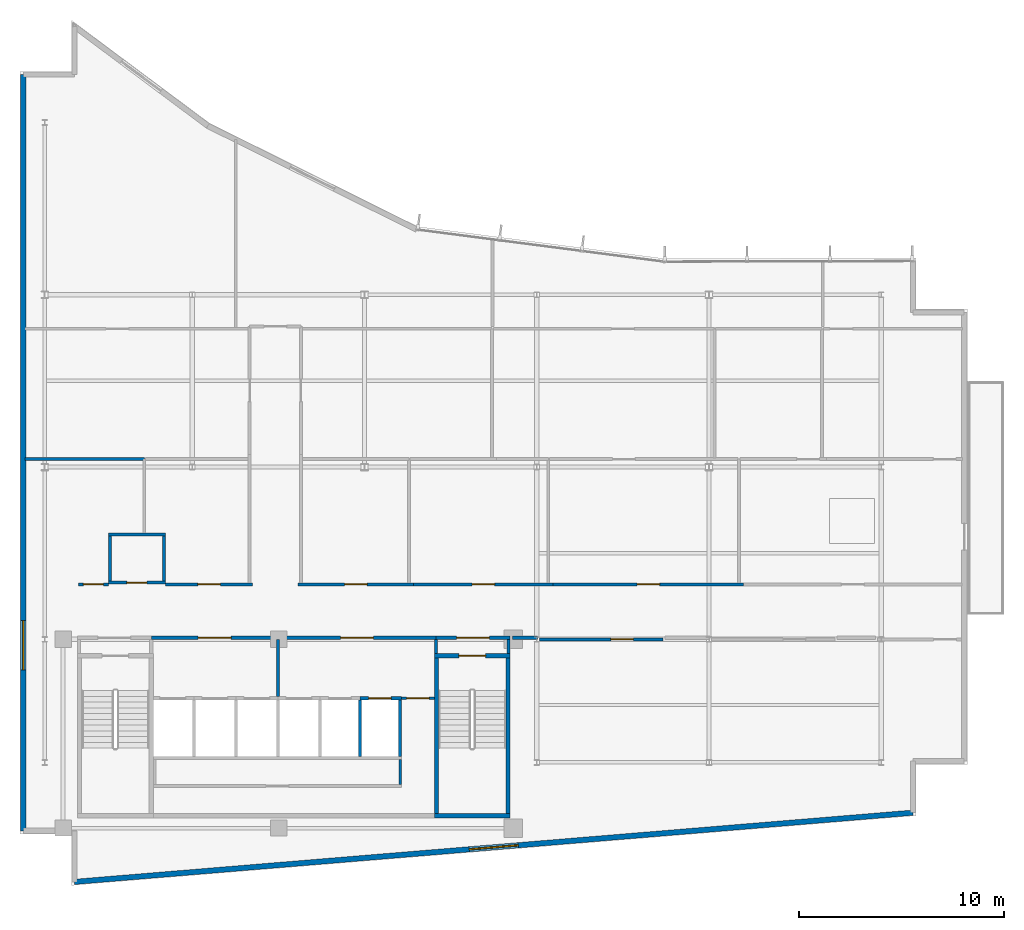
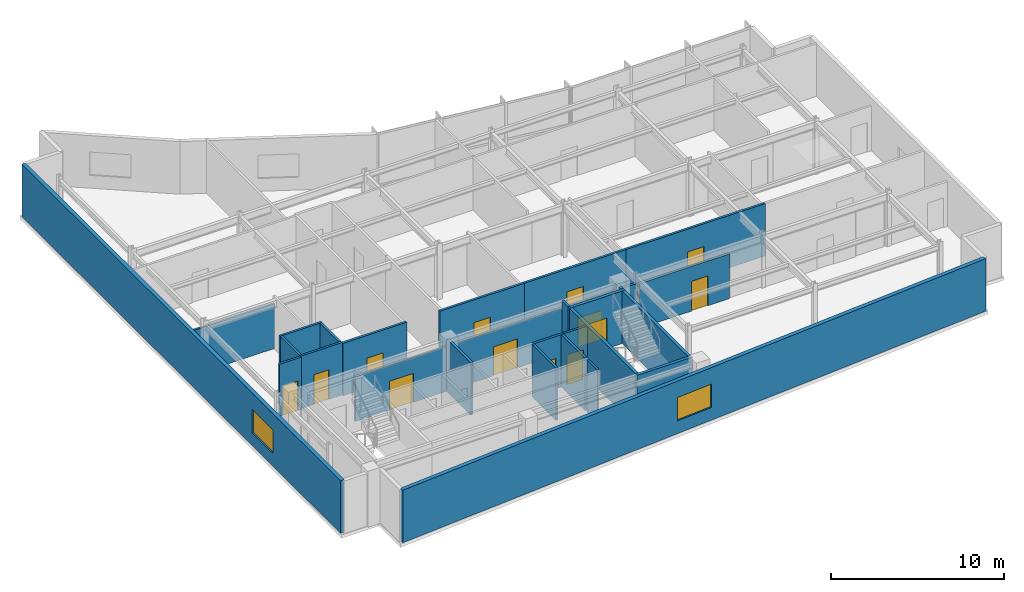
# One storey, part 10 of 15: 29 walls, 13 doors, 2 windows, 15 openings.
"""IFC4 building model written with IfcOpenShell, lengths in metres."""

from ifc_helpers import new_model, si_unit, direction, frame, frame_2d, origin, place, context, subcontext, project, spatial, rectangle, extrude, material, layer, layer_set, type_object, element, fill, save


model = new_model("IFC4")

# Units and contexts
model_context = context("Model", 3, precision=1e-05, world=origin(), true_north=direction((0.0, 1.0)))
body_context = subcontext(model_context, "Body", "Model", "MODEL_VIEW")
ifc_project = project(units=[si_unit("LENGTHUNIT", "METRE"), si_unit("AREAUNIT", "SQUARE_METRE"), si_unit("VOLUMEUNIT", "CUBIC_METRE"), si_unit("PLANEANGLEUNIT", "RADIAN"), si_unit("MASSUNIT", "GRAM", prefix="KILO")], contexts=[model_context])

# Site, building, storey
site_placement = place(None, origin())
site = spatial("IfcSite", under=ifc_project, at=site_placement, CompositionType="ELEMENT")
building_placement = place(site_placement, origin())
building = spatial("IfcBuilding", under=site, at=building_placement, Name="Varnakote Quay Hospital", CompositionType="ELEMENT")
storey_placement = place(building_placement, frame((0.0, 0.0, 248.64990234375)))
storey = spatial("IfcBuildingStorey", under=building, at=storey_placement, Name="L61", CompositionType="ELEMENT", Elevation=248.64990234375)

# Wall, opening, door
ifc_material_1 = material(Name="Fire-rated acoustic gypsum stud wall", Category="gypsum")
ifc_layer_1 = layer(ifc_material_1, 0.159912109375)
ifc_layer_set_1 = layer_set([ifc_layer_1], Name="Fire-rated acoustic gypsum stud wall")
wall_type_1 = type_object("IfcWallType", Name="WL-COMP-160", PredefinedType="PARTITIONING", material=ifc_layer_set_1)
wall_1_placement = place(storey_placement, frame((6.39990234375, 12.080078125, 0.0), z_axis=(0.0, 0.0, 1.0), x_axis=(1.0, 0.0, 0.0)))
wall_1 = element("IfcWall", 1, at=wall_1_placement, inside=storey, type_object=wall_type_1, Name="L61 Firefighting Lift Lobby Compartment Wall", PredefinedType="PARTITIONING", context=body_context, shape_type="SweptSolid", body=[
    extrude(rectangle(XDim=6.18017578125, YDim=0.159912109375, at=frame_2d((3.090087890625, 0.0))), origin(), (0.0, 0.0, 1.0), 3.156982421875),
])
opening_1_placement = place(wall_1_placement, frame((2.2900390625, 0.0, 0.0)))
opening_1 = element("IfcOpeningElement", 2, at=opening_1_placement, cuts=wall_1, Name="Opening D-FFL-L61", PredefinedType="OPENING", context=body_context, shape_type="SweptSolid", body=[
    extrude(rectangle(XDim=1.60009765625, YDim=2.050048828125, at=frame_2d((0.800048828125, 1.02490234375))), frame((0.0, 0.08984375, 0.0), z_axis=(0.0, -1.0, 0.0), x_axis=(1.0, 0.0, 0.0)), (0.0, 0.0, 1.0), 0.179931640625),
])
ifc_material_2 = material(Name="Fire-rated double smoke lobby door")
door_type_1 = type_object("IfcDoorType", Name="DR-LOBBY-FD60S-1600x2150", OperationType="NOTDEFINED", PredefinedType="DOOR", material=ifc_material_2)
door_1_placement = place(opening_1_placement, origin())
door_1 = element("IfcDoor", 3, at=door_1_placement, inside=storey, type_object=door_type_1, Name="L61 Firefighting Smoke Vestibule Door", OperationType="DOUBLE_DOOR_SINGLE_SWING", OverallHeight=2.050048828125, OverallWidth=1.60009765625, PredefinedType="DOOR", context=body_context, shape_type="SweptSolid", body=[
    extrude(rectangle(XDim=1.60009765625, YDim=2.050048828125, at=frame_2d((0.800048828125, 1.02490234375))), frame((0.0, 0.02490234375, 0.0), z_axis=(0.0, -1.0, 0.0), x_axis=(1.0, 0.0, 0.0)), (0.0, 0.0, 1.0), 0.050048828125),
])
fill(opening_1, door_1)

# Wall
wall_2_placement = place(storey_placement, frame((12.580078125, 9.2099609375, 0.0), z_axis=(0.0, 0.0, 1.0), x_axis=(0.0, 1.0, 0.0)))
element("IfcWall", 4, at=wall_2_placement, inside=storey, type_object=wall_type_1, Name="L61 Firefighting to Service Lobby Wall", PredefinedType="PARTITIONING", context=body_context, shape_type="SweptSolid", body=[
    extrude(rectangle(XDim=2.7900390625, YDim=0.159912109375, at=frame_2d((1.39501953125, 0.0))), origin(), (0.0, 0.0, 1.0), 3.710205078125),
])

# Wall, opening, door
wall_3_placement = place(storey_placement, frame((12.580078125, 12.080078125, 0.0), z_axis=(0.0, 0.0, 1.0), x_axis=(1.0, 0.0, 0.0)))
wall_3 = element("IfcWall", 5, at=wall_3_placement, inside=storey, type_object=wall_type_1, Name="L61 Clinical Bed Lift Lobby Wall", PredefinedType="PARTITIONING", context=body_context, shape_type="SweptSolid", body=[
    extrude(rectangle(XDim=7.699951171875, YDim=0.159912109375, at=frame_2d((3.85009765625, 0.0))), origin(), (0.0, 0.0, 1.0), 3.156982421875),
])
opening_2_placement = place(wall_3_placement, frame((3.050048828125, 0.0, 0.0)))
opening_2 = element("IfcOpeningElement", 6, at=opening_2_placement, cuts=wall_3, Name="Opening D-SVL-L61", PredefinedType="OPENING", context=body_context, shape_type="SweptSolid", body=[
    extrude(rectangle(XDim=1.60009765625, YDim=2.050048828125, at=frame_2d((0.800048828125, 1.02490234375))), frame((0.0, 0.08984375, 0.0), z_axis=(0.0, -1.0, 0.0), x_axis=(1.0, 0.0, 0.0)), (0.0, 0.0, 1.0), 0.179931640625),
])
door_2_placement = place(opening_2_placement, origin())
door_2 = element("IfcDoor", 7, at=door_2_placement, inside=storey, type_object=door_type_1, Name="L61 Clinical Core Smoke Vestibule Door", OperationType="DOUBLE_DOOR_SINGLE_SWING", OverallHeight=2.050048828125, OverallWidth=1.60009765625, PredefinedType="DOOR", context=body_context, shape_type="SweptSolid", body=[
    extrude(rectangle(XDim=1.60009765625, YDim=2.050048828125, at=frame_2d((0.800048828125, 1.02490234375))), frame((0.0, 0.02490234375, 0.0), z_axis=(0.0, -1.0, 0.0), x_axis=(1.0, 0.0, 0.0)), (0.0, 0.0, 1.0), 0.050048828125),
])
fill(opening_2, door_2)

# Wall
wall_4_placement = place(storey_placement, frame((20.280029296875, 11.300048828125, 0.0), z_axis=(0.0, 0.0, 1.0), x_axis=(0.0, 1.0, 0.0)))
element("IfcWall", 8, at=wall_4_placement, inside=storey, type_object=wall_type_1, Name="L61 East Stair Vestibule Divider Wall", PredefinedType="PARTITIONING", context=body_context, shape_type="SweptSolid", body=[
    extrude(rectangle(XDim=0.699951171875, YDim=0.159912109375, at=frame_2d((0.35009765625, 0.0))), origin(), (0.0, 0.0, 1.0), 3.710205078125),
])

# Wall, opening, door
wall_5_placement = place(storey_placement, frame((20.280029296875, 12.080078125, 0.0), z_axis=(0.0, 0.0, 1.0), x_axis=(1.0, 0.0, 0.0)))
wall_5 = element("IfcWall", 9, at=wall_5_placement, inside=storey, type_object=wall_type_1, Name="L61 East Stair Vestibule Smoke Wall", PredefinedType="PARTITIONING", context=body_context, shape_type="SweptSolid", body=[
    extrude(rectangle(XDim=3.619873046875, YDim=0.159912109375, at=frame_2d((1.81005859375, 0.0))), origin(), (0.0, 0.0, 1.0), 3.156982421875),
])
opening_3_placement = place(wall_5_placement, frame((1.010009765625, 0.0, 0.0)))
opening_3 = element("IfcOpeningElement", 10, at=opening_3_placement, cuts=wall_5, Name="Opening D-ST2L-L61", PredefinedType="OPENING", context=body_context, shape_type="SweptSolid", body=[
    extrude(rectangle(XDim=1.60009765625, YDim=2.050048828125, at=frame_2d((0.800048828125, 1.02490234375))), frame((0.0, 0.08984375, 0.0), z_axis=(0.0, -1.0, 0.0), x_axis=(1.0, 0.0, 0.0)), (0.0, 0.0, 1.0), 0.179931640625),
])
door_3_placement = place(opening_3_placement, origin())
door_3 = element("IfcDoor", 11, at=door_3_placement, inside=storey, type_object=door_type_1, Name="L61 East Stair Vestibule Smoke Door", OperationType="DOUBLE_DOOR_SINGLE_SWING", OverallHeight=2.050048828125, OverallWidth=1.60009765625, PredefinedType="DOOR", context=body_context, shape_type="SweptSolid", body=[
    extrude(rectangle(XDim=1.60009765625, YDim=2.050048828125, at=frame_2d((0.800048828125, 1.02490234375))), frame((0.0, 0.02490234375, 0.0), z_axis=(0.0, -1.0, 0.0), x_axis=(1.0, 0.0, 0.0)), (0.0, 0.0, 1.0), 0.050048828125),
])
fill(opening_3, door_3)

# Walls
wall_6_placement = place(storey_placement, frame((23.820068359375, 11.300048828125, 0.0), z_axis=(0.0, 0.0, 1.0), x_axis=(0.0, 1.0, 0.0)))
element("IfcWall", 12, at=wall_6_placement, inside=storey, type_object=wall_type_1, Name="L61 East Stair Vestibule East Wall", PredefinedType="PARTITIONING", context=body_context, shape_type="SweptSolid", body=[
    extrude(rectangle(XDim=0.699951171875, YDim=0.159912109375, at=frame_2d((0.35009765625, 0.0))), origin(), (0.0, 0.0, 1.0), 3.710205078125),
])
wall_7_placement = place(storey_placement, frame((24.02001953125, 12.080078125, 0.0), z_axis=(0.0, 0.0, 1.0), x_axis=(1.0, 0.0, 0.0)))
element("IfcWall", 13, at=wall_7_placement, inside=storey, type_object=wall_type_1, Name="L61 Corridor South Gap Wall", PredefinedType="PARTITIONING", context=body_context, shape_type="SweptSolid", body=[
    extrude(rectangle(XDim=1.2177734375, YDim=0.159912109375, at=frame_2d((0.60888671875, 0.0))), origin(), (0.0, 0.0, 1.0), 3.156982421875),
])

# Wall, opening, window
ifc_material_3 = material(Name="Precast concrete N50 (f'c 50 MPa)", Category="concrete")
ifc_layer_2 = layer(ifc_material_3, 0.260009765625)
ifc_layer_set_2 = layer_set([ifc_layer_2], Name="Precast concrete N50 (f'c 50 MPa)")
wall_type_2 = type_object("IfcWallType", Name="WL-EXT-BRICK-260", PredefinedType="STANDARD", material=ifc_layer_set_2)
wall_8_placement = place(storey_placement, frame((2.659912109375, 0.173583984375, 0.0), z_axis=(0.0, 0.0, 1.0), x_axis=(0.996611813627, 0.082248969229, 0.0)))
wall_8 = element("IfcWall", 14, at=wall_8_placement, inside=storey, type_object=wall_type_2, Name="L61 Brick-Faced Precast Exterior Wall", PredefinedType="STANDARD", context=body_context, shape_type="SweptSolid", body=[
    extrude(rectangle(XDim=41.01904296875, YDim=0.260009765625, at=frame_2d((20.509521484375, 0.0))), origin(), (0.0, 0.0, 1.0), 3.710205078125),
])
opening_4_placement = place(wall_8_placement, frame((19.3095703125, 0.0, 0.89990234375)))
opening_4 = element("IfcOpeningElement", 15, at=opening_4_placement, cuts=wall_8, Name="Opening WN-0246", PredefinedType="OPENING", context=body_context, shape_type="SweptSolid", body=[
    extrude(rectangle(XDim=2.39990234375, YDim=1.64990234375, at=frame_2d((1.199951171875, 0.824951171875))), frame((0.0, 0.139892578125, 0.0), z_axis=(0.0, -1.0, 0.0), x_axis=(1.0, 0.0, 0.0)), (0.0, 0.0, 1.0), 0.280029296875),
])
ifc_material_4 = material(Name="Double-glazed low-E solar glass", Category="glass")
window_type = type_object("IfcWindowType", Name="WIN-CLIN-2400x1650", PartitioningType="SINGLE_PANEL", PredefinedType="WINDOW", material=ifc_material_4)
window_1_placement = place(opening_4_placement, origin())
window_1 = element("IfcWindow", 16, at=window_1_placement, inside=storey, type_object=window_type, Name="L61 Solar-Control Clinical Window", OverallHeight=1.64990234375, OverallWidth=2.39990234375, PartitioningType="SINGLE_PANEL", PredefinedType="WINDOW", context=body_context, shape_type="SweptSolid", body=[
    extrude(rectangle(XDim=2.39990234375, YDim=1.64990234375, at=frame_2d((1.199951171875, 0.824951171875))), frame((0.0, 0.030029296875, 0.0), z_axis=(0.0, -1.0, 0.0), x_axis=(1.0, 0.0, 0.0)), (0.0, 0.0, 1.0), 0.06005859375),
])
fill(opening_4, window_1)

wall_9_placement = place(storey_placement, frame((0.159912109375, 39.5400390625, 0.0), z_axis=(0.0, 0.0, 1.0), x_axis=(0.0, -1.0, 0.0)))
wall_9 = element("IfcWall", 17, at=wall_9_placement, inside=storey, type_object=wall_type_2, Name="L61 Brick-Faced Precast Exterior Wall", PredefinedType="STANDARD", context=body_context, shape_type="SweptSolid", body=[
    extrude(rectangle(XDim=36.880126953125, YDim=0.260009765625, at=frame_2d((18.43994140625, 0.0))), origin(), (0.0, 0.0, 1.0), 3.710205078125),
])
opening_5_placement = place(wall_9_placement, frame((26.625, 0.0, 0.89990234375)))
opening_5 = element("IfcOpeningElement", 18, at=opening_5_placement, cuts=wall_9, Name="Opening WN-0249", PredefinedType="OPENING", context=body_context, shape_type="SweptSolid", body=[
    extrude(rectangle(XDim=2.39990234375, YDim=1.64990234375, at=frame_2d((1.199951171875, 0.824951171875))), frame((0.0, 0.139892578125, 0.0), z_axis=(0.0, -1.0, 0.0), x_axis=(1.0, 0.0, 0.0)), (0.0, 0.0, 1.0), 0.280029296875),
])
window_2_placement = place(opening_5_placement, origin())
window_2 = element("IfcWindow", 19, at=window_2_placement, inside=storey, type_object=window_type, Name="L61 Solar-Control Clinical Window", OverallHeight=1.64990234375, OverallWidth=2.39990234375, PartitioningType="SINGLE_PANEL", PredefinedType="WINDOW", context=body_context, shape_type="SweptSolid", body=[
    extrude(rectangle(XDim=2.39990234375, YDim=1.64990234375, at=frame_2d((1.199951171875, 0.824951171875))), frame((0.0, 0.030029296875, 0.0), z_axis=(0.0, -1.0, 0.0), x_axis=(1.0, 0.0, 0.0)), (0.0, 0.0, 1.0), 0.06005859375),
])
fill(opening_5, window_2)

# Walls
ifc_material_5 = material(Name="Concrete N50 (f'c 50 MPa)", Category="concrete")
ifc_layer_3 = layer(ifc_material_5, 0.14990234375)
ifc_layer_set_3 = layer_set([ifc_layer_3], Name="Concrete N50 (f'c 50 MPa)")
wall_type_3 = type_object("IfcWallType", Name="WL-SHAFT-N50-150", PredefinedType="SHEAR", material=ifc_layer_set_3)
wall_10_placement = place(storey_placement, frame((16.574951171875, 6.300048828125, 0.0), z_axis=(0.0, 0.0, 1.0), x_axis=(0.0, 1.0, 0.0)))
element("IfcWall", 20, at=wall_10_placement, inside=storey, type_object=wall_type_3, Name="L61 LF-PH1 Hoistway Divider Wall", PredefinedType="SHEAR", context=body_context, shape_type="SweptSolid", body=[
    extrude(rectangle(XDim=2.75, YDim=0.14990234375, at=frame_2d((1.375, 0.0))), origin(), (0.0, 0.0, 1.0), 3.710205078125),
])
ifc_material_6 = material(Name="Concrete N50 (f'c 50 MPa)", Category="concrete")
ifc_layer_4 = layer(ifc_material_6, 0.159912109375)
ifc_layer_set_4 = layer_set([ifc_layer_4], Name="Concrete N50 (f'c 50 MPa)")
wall_type_4 = type_object("IfcWallType", Name="WL-SHAFT-N50-160", PredefinedType="SHEAR", material=ifc_layer_set_4)
wall_11_placement = place(storey_placement, frame((18.530029296875, 6.300048828125, 0.0), z_axis=(0.0, 0.0, 1.0), x_axis=(0.0, 1.0, 0.0)))
element("IfcWall", 21, at=wall_11_placement, inside=storey, type_object=wall_type_4, Name="L61 REAR Lift Bank East Shear Wall", PredefinedType="SHEAR", context=body_context, shape_type="SweptSolid", body=[
    extrude(rectangle(XDim=2.75, YDim=0.159912109375, at=frame_2d((1.375, 0.0))), origin(), (0.0, 0.0, 1.0), 3.710205078125),
])

# Wall, opening, door
wall_12_placement = place(storey_placement, frame((16.574951171875, 9.1298828125, 0.0), z_axis=(0.0, 0.0, 1.0), x_axis=(1.0, 0.0, 0.0)))
wall_12 = element("IfcWall", 22, at=wall_12_placement, inside=storey, type_object=wall_type_4, Name="L61 LF-PH2 Hoistway Front Wall", PredefinedType="SHEAR", context=body_context, shape_type="SweptSolid", body=[
    extrude(rectangle(XDim=2.03515625, YDim=0.159912109375, at=frame_2d((1.017578125, 0.0))), origin(), (0.0, 0.0, 1.0), 3.710205078125),
])
opening_6_placement = place(wall_12_placement, frame((0.425048828125, 0.0, 0.0)))
opening_6 = element("IfcOpeningElement", 23, at=opening_6_placement, cuts=wall_12, Name="Opening LD-PH2-L61", PredefinedType="OPENING", context=body_context, shape_type="SweptSolid", body=[
    extrude(rectangle(XDim=1.10009765625, YDim=2.14990234375, at=frame_2d((0.550048828125, 1.074951171875))), frame((0.0, 0.08984375, 0.0), z_axis=(0.0, -1.0, 0.0), x_axis=(1.0, 0.0, 0.0)), (0.0, 0.0, 1.0), 0.179931640625),
])
ifc_material_7 = material(Name="Brushed bronze lift landing sliding door")
door_type_2 = type_object("IfcDoorType", Name="DR-LIFT-LD-1100x2150", OperationType="NOTDEFINED", PredefinedType="DOOR", material=ifc_material_7)
door_4_placement = place(opening_6_placement, origin())
door_4 = element("IfcDoor", 24, at=door_4_placement, inside=storey, type_object=door_type_2, Name="L61 LF-PH2 Lift Landing Sliding Door", OperationType="SLIDING_TO_LEFT", OverallHeight=2.14990234375, OverallWidth=1.10009765625, PredefinedType="DOOR", context=body_context, shape_type="SweptSolid", body=[
    extrude(rectangle(XDim=1.10009765625, YDim=2.14990234375, at=frame_2d((0.550048828125, 1.074951171875))), frame((0.0, 0.02490234375, 0.0), z_axis=(0.0, -1.0, 0.0), x_axis=(1.0, 0.0, 0.0)), (0.0, 0.0, 1.0), 0.050048828125),
])
fill(opening_6, door_4)

# Walls
ifc_material_8 = material(Name="Concrete N50 (f'c 50 MPa)", Category="concrete")
ifc_layer_5 = layer(ifc_material_8, 0.199951171875)
ifc_layer_set_5 = layer_set([ifc_layer_5], Name="Concrete N50 (f'c 50 MPa)")
wall_type_5 = type_object("IfcWallType", Name="WL-SHAFT-N50-200", PredefinedType="SHEAR", material=ifc_layer_set_5)
wall_13_placement = place(storey_placement, frame((20.199951171875, 3.39990234375, 0.0), z_axis=(0.0, 0.0, 1.0), x_axis=(1.0, 0.0, 0.0)))
element("IfcWall", 25, at=wall_13_placement, inside=storey, type_object=wall_type_5, Name="L61 Stair ST2 South Shaft Wall", PredefinedType="SHEAR", context=body_context, shape_type="SweptSolid", body=[
    extrude(rectangle(XDim=3.699951171875, YDim=0.199951171875, at=frame_2d((1.85009765625, 0.0))), origin(), (0.0, 0.0, 1.0), 3.710205078125),
])
for number, where, z_axis, x_axis, name in (
    (26, (20.300048828125, 3.5, 0.0), (0.0, 0.0, 1.0), (0.0, 1.0, 0.0), "L61 Stair ST2 West Shaft Wall"),
    (27, (23.800048828125, 3.5, 0.0), (0.0, 0.0, 1.0), (0.0, 1.0, 0.0), "L61 Stair ST2 East Shaft Wall"),
):
    element("IfcWall", number, at=place(storey_placement, frame(where, z_axis=z_axis, x_axis=x_axis)), inside=storey, type_object=wall_type_5, Name=name, PredefinedType="SHEAR", context=body_context, shape_type="SweptSolid", body=[
        extrude(rectangle(XDim=7.60009765625, YDim=0.199951171875, at=frame_2d((3.800048828125, 0.0))), origin(), (0.0, 0.0, 1.0), 3.710205078125),
    ])

# Wall, opening, door
wall_14_placement = place(storey_placement, frame((20.199951171875, 11.199951171875, 0.0), z_axis=(0.0, 0.0, 1.0), x_axis=(1.0, 0.0, 0.0)))
wall_14 = element("IfcWall", 28, at=wall_14_placement, inside=storey, type_object=wall_type_5, Name="L61 Stair ST2 Exit Wall", PredefinedType="SHEAR", context=body_context, shape_type="SweptSolid", body=[
    extrude(rectangle(XDim=3.699951171875, YDim=0.199951171875, at=frame_2d((1.85009765625, 0.0))), origin(), (0.0, 0.0, 1.0), 3.710205078125),
])
opening_7_placement = place(wall_14_placement, frame((1.199951171875, 0.0, 0.0)))
opening_7 = element("IfcOpeningElement", 29, at=opening_7_placement, cuts=wall_14, Name="Opening D-ST2-L61", PredefinedType="OPENING", context=body_context, shape_type="SweptSolid", body=[
    extrude(rectangle(XDim=1.300048828125, YDim=2.14990234375, at=frame_2d((0.64990234375, 1.074951171875))), frame((0.0, 0.10986328125, 0.0), z_axis=(0.0, -1.0, 0.0), x_axis=(1.0, 0.0, 0.0)), (0.0, 0.0, 1.0), 0.219970703125),
])
ifc_material_9 = material(Name="Fire-rated ceramic-glazed timber exit door", Category="wood")
door_type_3 = type_object("IfcDoorType", Name="DR-STAIR-FD60S-1300x2150", OperationType="NOTDEFINED", PredefinedType="DOOR", material=ifc_material_9)
door_5_placement = place(opening_7_placement, origin())
door_5 = element("IfcDoor", 30, at=door_5_placement, inside=storey, type_object=door_type_3, Name="L61 Stair ST2 Fire Exit Door", OperationType="SINGLE_SWING_LEFT", OverallHeight=2.14990234375, OverallWidth=1.300048828125, PredefinedType="DOOR", context=body_context, shape_type="SweptSolid", body=[
    extrude(rectangle(XDim=1.300048828125, YDim=2.14990234375, at=frame_2d((0.64990234375, 1.074951171875))), frame((0.0, 0.02490234375, 0.0), z_axis=(0.0, -1.0, 0.0), x_axis=(1.0, 0.0, 0.0)), (0.0, 0.0, 1.0), 0.050048828125),
])
fill(opening_7, door_5)

# Walls
ifc_material_10 = material(Name="Smoke-proof clinical partition", Category="gypsum")
ifc_layer_6 = layer(ifc_material_10, 0.1201171875)
ifc_layer_set_6 = layer_set([ifc_layer_6], Name="Smoke-proof clinical partition")
wall_type_6 = type_object("IfcWallType", Name="WL-SMOKE-120", PredefinedType="PARTITIONING", material=ifc_layer_set_6)
wall_15_placement = place(storey_placement, frame((18.5400390625, 4.919921875, 0.0), z_axis=(0.0, 0.0, 1.0), x_axis=(0.0, 1.0, 0.0)))
element("IfcWall", 31, at=wall_15_placement, inside=storey, type_object=wall_type_6, Name="L61 Core Service Strip East Wall", PredefinedType="PARTITIONING", context=body_context, shape_type="SweptSolid", body=[
    extrude(rectangle(XDim=1.219970703125, YDim=0.1201171875, at=frame_2d((0.60986328125, 0.0))), origin(), (0.0, 0.0, 1.0), 3.710205078125),
])
ifc_material_11 = material(Name="Smoke-proof clinical partition", Category="gypsum")
ifc_layer_7 = layer(ifc_material_11, 0.135009765625)
ifc_layer_set_7 = layer_set([ifc_layer_7], Name="Smoke-proof clinical partition")
wall_type_7 = type_object("IfcWallType", Name="WL-SMOKE-135", PredefinedType="PARTITIONING", material=ifc_layer_set_7)
wall_16_placement = place(storey_placement, frame((6.06005859375, 20.7900390625, 0.0), z_axis=(0.0, 0.0, 1.0), x_axis=(-1.0, 0.0, 0.0)))
element("IfcWall", 32, at=wall_16_placement, inside=storey, type_object=wall_type_7, Name="L61 Clinical Interior Partition", PredefinedType="PARTITIONING", context=body_context, shape_type="SweptSolid", body=[
    extrude(rectangle(XDim=5.820068359375, YDim=0.135009765625, at=frame_2d((2.91015625, 0.0))), origin(), (0.0, 0.0, 1.0), 3.156982421875),
])

# Wall, opening, door
ifc_material_12 = material(Name="Fire-rated clinical gypsum partition", Category="gypsum")
ifc_layer_8 = layer(ifc_material_12, 0.139892578125)
ifc_layer_set_8 = layer_set([ifc_layer_8], Name="Fire-rated clinical gypsum partition")
wall_type_8 = type_object("IfcWallType", Name="WL-WARD-140", PredefinedType="PARTITIONING", material=ifc_layer_set_8)
wall_17_placement = place(storey_placement, frame((18.610107421875, 9.1298828125, 0.0), z_axis=(0.0, 0.0, 1.0), x_axis=(1.0, 0.0, 0.0)))
wall_17 = element("IfcWall", 33, at=wall_17_placement, inside=storey, type_object=wall_type_8, Name="L61 Core Service Corridor North Door Wall", PredefinedType="PARTITIONING", context=body_context, shape_type="SweptSolid", body=[
    extrude(rectangle(XDim=1.58984375, YDim=0.139892578125, at=frame_2d((0.794921875, 0.0))), origin(), (0.0, 0.0, 1.0), 3.710205078125),
])
opening_8_placement = place(wall_17_placement, frame((0.239990234375, 0.0, 0.0)))
opening_8 = element("IfcOpeningElement", 34, at=opening_8_placement, cuts=wall_17, Name="Opening D-CSRV-L61", PredefinedType="OPENING", context=body_context, shape_type="SweptSolid", body=[
    extrude(rectangle(XDim=1.10009765625, YDim=2.10009765625, at=frame_2d((0.550048828125, 1.050048828125))), frame((0.0, 0.079833984375, 0.0), z_axis=(0.0, -1.0, 0.0), x_axis=(1.0, 0.0, 0.0)), (0.0, 0.0, 1.0), 0.159912109375),
])
ifc_material_13 = material(Name="Acoustic timber clinical consult door", Category="wood")
door_type_4 = type_object("IfcDoorType", Name="DR-CLIN-FD30S-1100x2100", OperationType="NOTDEFINED", PredefinedType="DOOR", material=ifc_material_13)
door_6_placement = place(opening_8_placement, origin())
door_6 = element("IfcDoor", 35, at=door_6_placement, inside=storey, type_object=door_type_4, Name="L61 Core Service Corridor Door", OperationType="SINGLE_SWING_LEFT", OverallHeight=2.10009765625, OverallWidth=1.10009765625, PredefinedType="DOOR", context=body_context, shape_type="SweptSolid", body=[
    extrude(rectangle(XDim=1.10009765625, YDim=2.10009765625, at=frame_2d((0.550048828125, 1.050048828125))), frame((0.0, 0.02490234375, 0.0), z_axis=(0.0, -1.0, 0.0), x_axis=(1.0, 0.0, 0.0)), (0.0, 0.0, 1.0), 0.050048828125),
])
fill(opening_8, door_6)

wall_18_placement = place(storey_placement, frame((4.31005859375, 14.77001953125, 0.0), z_axis=(0.0, 0.0, 1.0), x_axis=(1.0, 0.0, 0.0)))
wall_18 = element("IfcWall", 36, at=wall_18_placement, inside=storey, type_object=wall_type_8, Name="L61 Floor Unisex Accessible WC S Wall", PredefinedType="PARTITIONING", context=body_context, shape_type="SweptSolid", body=[
    extrude(rectangle(XDim=2.780029296875, YDim=0.139892578125, at=frame_2d((1.39013671875, 0.0))), origin(), (0.0, 0.0, 1.0), 3.710205078125),
])
opening_9_placement = place(wall_18_placement, frame((0.89990234375, 0.0, 0.0)))
opening_9 = element("IfcOpeningElement", 37, at=opening_9_placement, cuts=wall_18, Name="Opening D-L61-EW01", PredefinedType="OPENING", context=body_context, shape_type="SweptSolid", body=[
    extrude(rectangle(XDim=0.97998046875, YDim=2.10009765625, at=frame_2d((0.489990234375, 1.050048828125))), frame((0.0, 0.079833984375, 0.0), z_axis=(0.0, -1.0, 0.0), x_axis=(1.0, 0.0, 0.0)), (0.0, 0.0, 1.0), 0.159912109375),
])
ifc_material_14 = material(Name="Accessible sanitary compartment door")
door_type_5 = type_object("IfcDoorType", Name="DR-WC-980x2100", OperationType="NOTDEFINED", PredefinedType="DOOR", material=ifc_material_14)
door_7_placement = place(opening_9_placement, origin())
door_7 = element("IfcDoor", 38, at=door_7_placement, inside=storey, type_object=door_type_5, Name="L61 Floor Unisex Accessible WC Door", OperationType="SINGLE_SWING_RIGHT", OverallHeight=2.10009765625, OverallWidth=0.97998046875, PredefinedType="DOOR", context=body_context, shape_type="SweptSolid", body=[
    extrude(rectangle(XDim=0.97998046875, YDim=2.10009765625, at=frame_2d((0.489990234375, 1.050048828125))), frame((0.0, 0.02490234375, 0.0), z_axis=(0.0, -1.0, 0.0), x_axis=(1.0, 0.0, 0.0)), (0.0, 0.0, 1.0), 0.050048828125),
])
fill(opening_9, door_7)

# Walls
wall_19_placement = place(storey_placement, frame((4.31005859375, 17.110107421875, 0.0), z_axis=(0.0, 0.0, 1.0), x_axis=(1.0, 0.0, 0.0)))
element("IfcWall", 39, at=wall_19_placement, inside=storey, type_object=wall_type_8, Name="L61 Floor Unisex Accessible WC N Wall", PredefinedType="PARTITIONING", context=body_context, shape_type="SweptSolid", body=[
    extrude(rectangle(XDim=2.780029296875, YDim=0.139892578125, at=frame_2d((1.39013671875, 0.0))), origin(), (0.0, 0.0, 1.0), 3.710205078125),
])
for number, where, z_axis, x_axis, name in (
    (40, (4.3798828125, 14.840087890625, 0.0), (0.0, 0.0, 1.0), (0.0, 1.0, 0.0), "L61 Floor Unisex Accessible WC W Wall"),
    (41, (7.02001953125, 14.840087890625, 0.0), (0.0, 0.0, 1.0), (0.0, 1.0, 0.0), "L61 Floor Unisex Accessible WC E Wall"),
):
    element("IfcWall", number, at=place(storey_placement, frame(where, z_axis=z_axis, x_axis=x_axis)), inside=storey, type_object=wall_type_8, Name=name, PredefinedType="PARTITIONING", context=body_context, shape_type="SweptSolid", body=[
        extrude(rectangle(XDim=2.199951171875, YDim=0.139892578125, at=frame_2d((1.10009765625, 0.0))), origin(), (0.0, 0.0, 1.0), 3.710205078125),
    ])

# Wall, opening, door
ifc_material_15 = material(Name="Fire-rated clinical gypsum partition", Category="gypsum")
ifc_layer_9 = layer(ifc_material_15, 0.14990234375)
ifc_layer_set_9 = layer_set([ifc_layer_9], Name="Fire-rated clinical gypsum partition")
wall_type_9 = type_object("IfcWallType", Name="WL-WARD-150", PredefinedType="PARTITIONING", material=ifc_layer_set_9)
wall_20_placement = place(storey_placement, frame((31.35009765625, 12.0, 0.0), z_axis=(0.0, 0.0, 1.0), x_axis=(-1.0, 0.0, 0.0)))
wall_20 = element("IfcWall", 42, at=wall_20_placement, inside=storey, type_object=wall_type_9, Name="L61 Clinical Interior Partition", PredefinedType="PARTITIONING", context=body_context, shape_type="SweptSolid", body=[
    extrude(rectangle(XDim=6.023193359375, YDim=0.14990234375, at=frame_2d((3.01171875, 0.0))), origin(), (0.0, 0.0, 1.0), 3.156982421875),
])
opening_10_placement = place(wall_20_placement, frame((1.44384765625, 0.0, 0.0)))
opening_10 = element("IfcOpeningElement", 43, at=opening_10_placement, cuts=wall_20, Name="Opening D-L61-RL1", PredefinedType="OPENING", context=body_context, shape_type="SweptSolid", body=[
    extrude(rectangle(XDim=1.10009765625, YDim=2.10009765625, at=frame_2d((0.550048828125, 1.050048828125))), frame((0.0, 0.0849609375, 0.0), z_axis=(0.0, -1.0, 0.0), x_axis=(1.0, 0.0, 0.0)), (0.0, 0.0, 1.0), 0.169921875),
])
door_8_placement = place(opening_10_placement, origin())
door_8 = element("IfcDoor", 44, at=door_8_placement, inside=storey, type_object=door_type_4, Name="L61 Day Infusion Treatment Suite Door", OperationType="SINGLE_SWING_LEFT", OverallHeight=2.10009765625, OverallWidth=1.10009765625, PredefinedType="DOOR", context=body_context, shape_type="SweptSolid", body=[
    extrude(rectangle(XDim=1.10009765625, YDim=2.10009765625, at=frame_2d((0.550048828125, 1.050048828125))), frame((0.0, 0.02490234375, 0.0), z_axis=(0.0, -1.0, 0.0), x_axis=(1.0, 0.0, 0.0)), (0.0, 0.0, 1.0), 0.050048828125),
])
fill(opening_10, door_8)

wall_21_placement = place(storey_placement, frame((4.30810546875, 14.679931640625, 0.0), z_axis=(0.0, 0.0, 1.0), x_axis=(-1.0, 0.0, 0.0)))
wall_21 = element("IfcWall", 45, at=wall_21_placement, inside=storey, type_object=wall_type_9, Name="L61 Clinical Interior Partition", PredefinedType="PARTITIONING", context=body_context, shape_type="SweptSolid", body=[
    extrude(rectangle(XDim=1.4580078125, YDim=0.14990234375, at=frame_2d((0.72900390625, 0.0))), origin(), (0.0, 0.0, 1.0), 3.710205078125),
])
opening_11_placement = place(wall_21_placement, frame((0.239013671875, 0.0, 0.0)))
opening_11 = element("IfcOpeningElement", 46, at=opening_11_placement, cuts=wall_21, Name="Opening D-L61-MD01", PredefinedType="OPENING", context=body_context, shape_type="SweptSolid", body=[
    extrude(rectangle(XDim=0.97998046875, YDim=2.10009765625, at=frame_2d((0.489990234375, 1.050048828125))), frame((0.0, 0.0849609375, 0.0), z_axis=(0.0, -1.0, 0.0), x_axis=(1.0, 0.0, 0.0)), (0.0, 0.0, 1.0), 0.169921875),
])
door_9_placement = place(opening_11_placement, origin())
door_9 = element("IfcDoor", 47, at=door_9_placement, inside=storey, type_object=door_type_5, Name="L61 Clinical Simulation Teaching Room Door", OperationType="SINGLE_SWING_RIGHT", OverallHeight=2.10009765625, OverallWidth=0.97998046875, PredefinedType="DOOR", context=body_context, shape_type="SweptSolid", body=[
    extrude(rectangle(XDim=0.97998046875, YDim=2.10009765625, at=frame_2d((0.489990234375, 1.050048828125))), frame((0.0, 0.02490234375, 0.0), z_axis=(0.0, -1.0, 0.0), x_axis=(1.0, 0.0, 0.0)), (0.0, 0.0, 1.0), 0.050048828125),
])
fill(opening_11, door_9)

wall_22_placement = place(storey_placement, frame((11.345947265625, 14.679931640625, 0.0), z_axis=(0.0, 0.0, 1.0), x_axis=(-1.0, 0.0, 0.0)))
wall_22 = element("IfcWall", 48, at=wall_22_placement, inside=storey, type_object=wall_type_9, Name="L61 Clinical Interior Partition", PredefinedType="PARTITIONING", context=body_context, shape_type="SweptSolid", body=[
    extrude(rectangle(XDim=4.25390625, YDim=0.14990234375, at=frame_2d((2.126953125, 0.0))), origin(), (0.0, 0.0, 1.0), 3.710205078125),
])
opening_12_placement = place(wall_22_placement, frame((1.576904296875, 0.0, 0.0)))
opening_12 = element("IfcOpeningElement", 49, at=opening_12_placement, cuts=wall_22, Name="Opening D-L61-MD02", PredefinedType="OPENING", context=body_context, shape_type="SweptSolid", body=[
    extrude(rectangle(XDim=1.10009765625, YDim=2.10009765625, at=frame_2d((0.550048828125, 1.050048828125))), frame((0.0, 0.0849609375, 0.0), z_axis=(0.0, -1.0, 0.0), x_axis=(1.0, 0.0, 0.0)), (0.0, 0.0, 1.0), 0.169921875),
])
door_10_placement = place(opening_12_placement, origin())
door_10 = element("IfcDoor", 50, at=door_10_placement, inside=storey, type_object=door_type_4, Name="L61 Rehabilitation Therapy Treatment Suite Door", OperationType="SINGLE_SWING_LEFT", OverallHeight=2.10009765625, OverallWidth=1.10009765625, PredefinedType="DOOR", context=body_context, shape_type="SweptSolid", body=[
    extrude(rectangle(XDim=1.10009765625, YDim=2.10009765625, at=frame_2d((0.550048828125, 1.050048828125))), frame((0.0, 0.02490234375, 0.0), z_axis=(0.0, -1.0, 0.0), x_axis=(1.0, 0.0, 0.0)), (0.0, 0.0, 1.0), 0.050048828125),
])
fill(opening_12, door_10)

wall_23_placement = place(storey_placement, frame((19.196044921875, 14.679931640625, 0.0), z_axis=(0.0, 0.0, 1.0), x_axis=(-1.0, 0.0, 0.0)))
wall_23 = element("IfcWall", 51, at=wall_23_placement, inside=storey, type_object=wall_type_9, Name="L61 Clinical Interior Partition", PredefinedType="PARTITIONING", context=body_context, shape_type="SweptSolid", body=[
    extrude(rectangle(XDim=5.64208984375, YDim=0.14990234375, at=frame_2d((2.821044921875, 0.0))), origin(), (0.0, 0.0, 1.0), 3.710205078125),
])
opening_13_placement = place(wall_23_placement, frame((2.27099609375, 0.0, 0.0)))
opening_13 = element("IfcOpeningElement", 52, at=opening_13_placement, cuts=wall_23, Name="Opening D-L61-MD03", PredefinedType="OPENING", context=body_context, shape_type="SweptSolid", body=[
    extrude(rectangle(XDim=1.10009765625, YDim=2.10009765625, at=frame_2d((0.550048828125, 1.050048828125))), frame((0.0, 0.0849609375, 0.0), z_axis=(0.0, -1.0, 0.0), x_axis=(1.0, 0.0, 0.0)), (0.0, 0.0, 1.0), 0.169921875),
])
door_11_placement = place(opening_13_placement, origin())
door_11 = element("IfcDoor", 53, at=door_11_placement, inside=storey, type_object=door_type_4, Name="L61 Physiotherapy Consult Office Door", OperationType="SINGLE_SWING_RIGHT", OverallHeight=2.10009765625, OverallWidth=1.10009765625, PredefinedType="DOOR", context=body_context, shape_type="SweptSolid", body=[
    extrude(rectangle(XDim=1.10009765625, YDim=2.10009765625, at=frame_2d((0.550048828125, 1.050048828125))), frame((0.0, 0.02490234375, 0.0), z_axis=(0.0, -1.0, 0.0), x_axis=(1.0, 0.0, 0.0)), (0.0, 0.0, 1.0), 0.050048828125),
])
fill(opening_13, door_11)

wall_24_placement = place(storey_placement, frame((25.986083984375, 14.679931640625, 0.0), z_axis=(0.0, 0.0, 1.0), x_axis=(-1.0, 0.0, 0.0)))
wall_24 = element("IfcWall", 54, at=wall_24_placement, inside=storey, type_object=wall_type_9, Name="L61 Clinical Interior Partition", PredefinedType="PARTITIONING", context=body_context, shape_type="SweptSolid", body=[
    extrude(rectangle(XDim=6.7880859375, YDim=0.14990234375, at=frame_2d((3.39404296875, 0.0))), origin(), (0.0, 0.0, 1.0), 3.710205078125),
])
opening_14_placement = place(wall_24_placement, frame((2.843994140625, 0.0, 0.0)))
opening_14 = element("IfcOpeningElement", 55, at=opening_14_placement, cuts=wall_24, Name="Opening D-L61-MD04", PredefinedType="OPENING", context=body_context, shape_type="SweptSolid", body=[
    extrude(rectangle(XDim=1.10009765625, YDim=2.10009765625, at=frame_2d((0.550048828125, 1.050048828125))), frame((0.0, 0.0849609375, 0.0), z_axis=(0.0, -1.0, 0.0), x_axis=(1.0, 0.0, 0.0)), (0.0, 0.0, 1.0), 0.169921875),
])
door_12_placement = place(opening_14_placement, origin())
door_12 = element("IfcDoor", 56, at=door_12_placement, inside=storey, type_object=door_type_4, Name="L61 Case Review Meeting Room Door", OperationType="SINGLE_SWING_LEFT", OverallHeight=2.10009765625, OverallWidth=1.10009765625, PredefinedType="DOOR", context=body_context, shape_type="SweptSolid", body=[
    extrude(rectangle(XDim=1.10009765625, YDim=2.10009765625, at=frame_2d((0.550048828125, 1.050048828125))), frame((0.0, 0.02490234375, 0.0), z_axis=(0.0, -1.0, 0.0), x_axis=(1.0, 0.0, 0.0)), (0.0, 0.0, 1.0), 0.050048828125),
])
fill(opening_14, door_12)

wall_25_placement = place(storey_placement, frame((35.285888671875, 14.679931640625, 0.0), z_axis=(0.0, 0.0, 1.0), x_axis=(-1.0, 0.0, 0.0)))
wall_25 = element("IfcWall", 57, at=wall_25_placement, inside=storey, type_object=wall_type_9, Name="L61 Clinical Interior Partition", PredefinedType="PARTITIONING", context=body_context, shape_type="SweptSolid", body=[
    extrude(rectangle(XDim=9.2978515625, YDim=0.14990234375, at=frame_2d((4.64892578125, 0.0))), origin(), (0.0, 0.0, 1.0), 3.710205078125),
])
opening_15_placement = place(wall_25_placement, frame((4.09912109375, 0.0, 0.0)))
opening_15 = element("IfcOpeningElement", 58, at=opening_15_placement, cuts=wall_25, Name="Opening D-L61-MD05", PredefinedType="OPENING", context=body_context, shape_type="SweptSolid", body=[
    extrude(rectangle(XDim=1.10009765625, YDim=2.10009765625, at=frame_2d((0.550048828125, 1.050048828125))), frame((0.0, 0.0849609375, 0.0), z_axis=(0.0, -1.0, 0.0), x_axis=(1.0, 0.0, 0.0)), (0.0, 0.0, 1.0), 0.169921875),
])
door_13_placement = place(opening_15_placement, origin())
door_13 = element("IfcDoor", 59, at=door_13_placement, inside=storey, type_object=door_type_4, Name="L61 Clinical Simulation Teaching Room Door", OperationType="SINGLE_SWING_RIGHT", OverallHeight=2.10009765625, OverallWidth=1.10009765625, PredefinedType="DOOR", context=body_context, shape_type="SweptSolid", body=[
    extrude(rectangle(XDim=1.10009765625, YDim=2.10009765625, at=frame_2d((0.550048828125, 1.050048828125))), frame((0.0, 0.02490234375, 0.0), z_axis=(0.0, -1.0, 0.0), x_axis=(1.0, 0.0, 0.0)), (0.0, 0.0, 1.0), 0.050048828125),
])
fill(opening_15, door_13)

save(model, "model.ifc")
